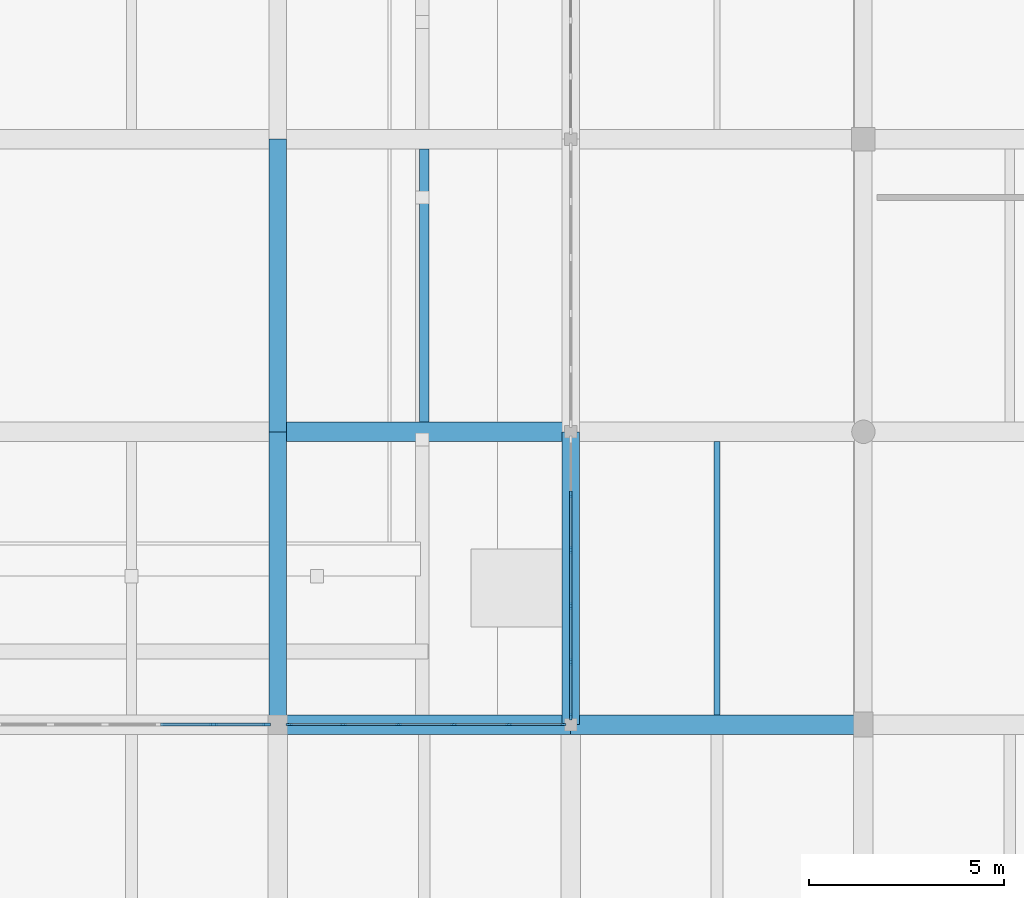
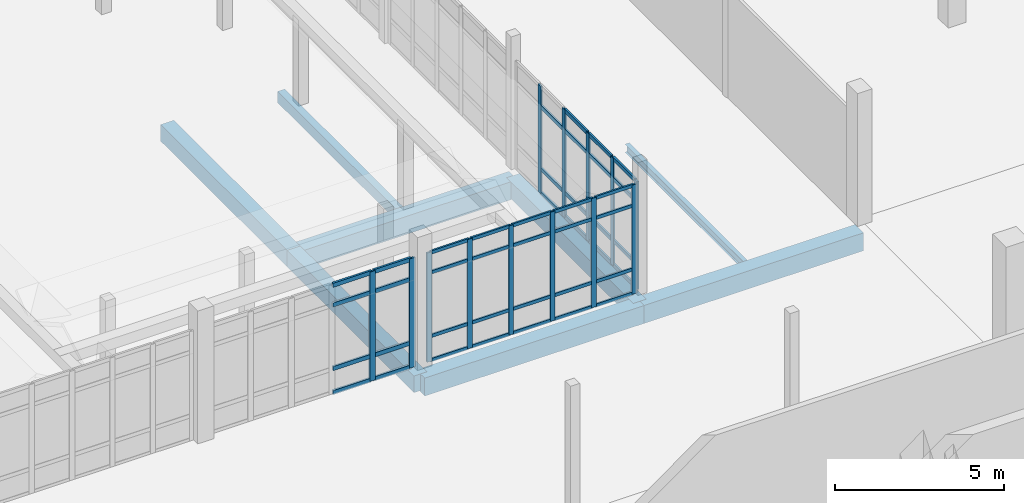
# One storey, part 57 of 125: 56 members, 8 beams, 3 elements without a shape of their own.
"""IFC4 building model written with IfcOpenShell, lengths in metres."""

from ifc_helpers import new_model, si_unit, direction, frame, origin, origin_2d, place, context, subcontext, project, spatial, rectangle, i_section, extrude, material, layer, layer_set, material_profile, profile_set, type_object, element, aggregate, save


model = new_model("IFC4")

# Units and contexts
model_context = context("Model", 3, precision=1e-05, world=origin(), true_north=direction((0.0, 1.0)))
body_context = subcontext(model_context, "Body", "Model", "MODEL_VIEW")
ifc_project = project(units=[si_unit("LENGTHUNIT", "METRE"), si_unit("AREAUNIT", "SQUARE_METRE"), si_unit("VOLUMEUNIT", "CUBIC_METRE"), si_unit("PLANEANGLEUNIT", "RADIAN"), si_unit("MASSUNIT", "GRAM", prefix="KILO")], contexts=[model_context])

# Site, building, storey
site_placement = place(None, origin())
site = spatial("IfcSite", under=ifc_project, at=site_placement, CompositionType="ELEMENT")
building_placement = place(site_placement, origin())
building = spatial("IfcBuilding", under=site, at=building_placement, Name="Dalvernix Boulevard General Hospital", CompositionType="ELEMENT")
storey_placement = place(building_placement, origin())
storey = spatial("IfcBuildingStorey", under=building, at=storey_placement, Name="L00", CompositionType="ELEMENT", Elevation=0.0)

# Beams
ifc_material_1 = material(Name="Concrete C35/45", Category="concrete")
ifc_material_profile_1 = material_profile(ifc_material_1, rectangle(XDim=0.5, YDim=0.64990234375, at=origin_2d()), Name="RCB 500x650")
ifc_profile_set_1 = profile_set([ifc_material_profile_1], Name="Concrete C35/45")
beam_type_1 = type_object("IfcBeamType", Name="BM-B-02-I", PredefinedType="BEAM", material=ifc_profile_set_1)
for number, where, z_axis, x_axis, name in (
    (1, (127.5, 31.5, -0.68505859375), (1.0, 0.0, 0.0), (0.0, 1.0, 0.0), "L00 E-W girder E:18-19"),
    (2, (135.0, 31.5, -0.68505859375), (1.0, 0.0, 0.0), (0.0, 1.0, 0.0), "L00 E-W girder E:19-20"),
    (3, (127.5, 39.0, -0.68505859375), (1.0, 0.0, 0.0), (0.0, 1.0, 0.0), "L00 E-W girder F:18-19"),
):
    element("IfcBeam", number, at=place(storey_placement, frame(where, z_axis=z_axis, x_axis=x_axis)), inside=storey, type_object=beam_type_1, Name=name, PredefinedType="BEAM", context=body_context, shape_type="SweptSolid", body=[
        extrude(rectangle(XDim=0.5, YDim=0.64990234375, at=origin_2d()), origin(), (0.0, 0.0, 1.0), 7.5),
    ])
ifc_material_profile_2 = material_profile(ifc_material_1, rectangle(XDim=0.449951171875, YDim=0.60009765625, at=origin_2d()), Name="RCB 450x600")
ifc_profile_set_2 = profile_set([ifc_material_profile_2], Name="Concrete C35/45")
beam_type_2 = type_object("IfcBeamType", Name="BM-B-04-I", PredefinedType="BEAM", material=ifc_profile_set_2)
for number, where, z_axis, x_axis, name in (
    (4, (127.5, 31.5, -0.659912109375), (0.0, 1.0, 0.0), (-1.0, 0.0, 0.0), "L00 N-S girder 18:E-F"),
    (5, (127.5, 39.0, -0.659912109375), (0.0, 1.0, 0.0), (-1.0, 0.0, 0.0), "L00 N-S girder 18:F-G"),
    (6, (135.0, 31.5, -0.659912109375), (0.0, 1.0, 0.0), (-1.0, 0.0, 0.0), "L00 N-S girder 19:E-F"),
):
    element("IfcBeam", number, at=place(storey_placement, frame(where, z_axis=z_axis, x_axis=x_axis)), inside=storey, type_object=beam_type_2, Name=name, PredefinedType="BEAM", context=body_context, shape_type="SweptSolid", body=[
        extrude(rectangle(XDim=0.449951171875, YDim=0.60009765625, at=origin_2d()), origin(), (0.0, 0.0, 1.0), 7.5),
    ])
ifc_material_profile_3 = material_profile(ifc_material_1, rectangle(XDim=0.25, YDim=0.39990234375, at=origin_2d()), Name="RCB 250x400")
ifc_profile_set_3 = profile_set([ifc_material_profile_3], Name="Concrete C35/45")
beam_type_3 = type_object("IfcBeamType", Name="BM-JB-02", PredefinedType="JOIST", material=ifc_profile_set_3)
beam_1_placement = place(storey_placement, frame((131.25, 39.25, -0.56005859375), z_axis=(0.0, 1.0, 0.0), x_axis=(-1.0, 0.0, 0.0)))
element("IfcBeam", 7, at=beam_1_placement, inside=storey, type_object=beam_type_3, Name="L00 secondary floor beam 18-F", PredefinedType="JOIST", context=body_context, shape_type="SweptSolid", body=[
    extrude(rectangle(XDim=0.25, YDim=0.39990234375, at=origin_2d()), origin(), (0.0, 0.0, 1.0), 7.0),
])
ifc_material_2 = material(Name="Steel S355", Category="steel")
ifc_material_profile_4 = material_profile(ifc_material_2, i_section(OverallWidth=0.14990234375, OverallDepth=0.300048828125, WebThickness=0.007080078125, FlangeThickness=0.0107421875, FilletRadius=0.014892578125, at=origin_2d()), Name="IPE 300")
ifc_profile_set_4 = profile_set([ifc_material_profile_4], Name="Steel S355")
beam_type_4 = type_object("IfcBeamType", Name="BM-JB-03", PredefinedType="JOIST", material=ifc_profile_set_4)
beam_2_placement = place(storey_placement, frame((138.75, 31.75, -0.510009765625), z_axis=(0.0, 1.0, 0.0), x_axis=(-1.0, 0.0, 0.0)))
element("IfcBeam", 8, at=beam_2_placement, inside=storey, type_object=beam_type_4, Name="L00 secondary floor beam 19-E", PredefinedType="JOIST", context=body_context, shape_type="SweptSolid", body=[
    extrude(i_section(OverallWidth=0.14990234375, OverallDepth=0.300048828125, WebThickness=0.007080078125, FlangeThickness=0.0107421875, FilletRadius=0.014892578125, at=origin_2d()), origin(), (0.0, 0.0, 1.0), 7.0),
])

# Curtain wall, members
ifc_material_3 = material(Name="Thermally broken aluminium and solar-control glass curtain wall", Category="aluminium")
ifc_layer_1 = layer(ifc_material_3, 0.159912109375)
ifc_layer_set_1 = layer_set([ifc_layer_1], Name="Thermally broken aluminium and solar-control glass curtain wall (CW-CW-A-71x40)")
curtain_wall_type_1 = type_object("IfcCurtainWallType", Name="CW-CW-A-71x40", PredefinedType="USERDEFINED", material=ifc_layer_set_1)
curtain_wall_1_placement = place(storey_placement, origin())
curtain_wall_1 = element("IfcCurtainWall", 9, at=curtain_wall_1_placement, inside=storey, type_object=curtain_wall_type_1, Name="L00 curtain wall CW-A-71x40 17-4", ObjectType="GLAZED FACADE", PredefinedType="USERDEFINED")
ifc_material_4 = material(Name="Aluminium EN AW-6060", Category="aluminium")
ifc_material_profile_5 = material_profile(ifc_material_4, rectangle(XDim=0.06005859375, YDim=0.159912109375, at=origin_2d()), Name="ALU MULL 60x160")
ifc_profile_set_5 = profile_set([ifc_material_profile_5], Name="Aluminium EN AW-6060")
member_type_1 = type_object("IfcMemberType", Name="MEM-CW-M1", PredefinedType="MULLION", material=ifc_profile_set_5)
member_1_placement = place(storey_placement, frame((127.7900390625, 31.5, 0.0), z_axis=(0.0, 0.0, 1.0), x_axis=(0.0, 1.0, 0.0)))
member_1 = element("IfcMember", 10, at=member_1_placement, type_object=member_type_1, Name="CW-A-71x40 mullion 1", PredefinedType="MULLION", context=body_context, shape_type="SweptSolid", body=[
    extrude(rectangle(XDim=0.06005859375, YDim=0.159912109375, at=origin_2d()), origin(), (0.0, 0.0, 1.0), 3.949951171875),
])
member_2_placement = place(storey_placement, frame((129.174072265625, 31.5, 0.0), z_axis=(0.0, 0.0, 1.0), x_axis=(0.0, 1.0, 0.0)))
member_2 = element("IfcMember", 11, at=member_2_placement, type_object=member_type_1, Name="CW-A-71x40 mullion 2", PredefinedType="MULLION", context=body_context, shape_type="SweptSolid", body=[
    extrude(rectangle(XDim=0.06005859375, YDim=0.159912109375, at=origin_2d()), origin(), (0.0, 0.0, 1.0), 3.949951171875),
])
member_3_placement = place(storey_placement, frame((130.587890625, 31.5, 0.0), z_axis=(0.0, 0.0, 1.0), x_axis=(0.0, 1.0, 0.0)))
member_3 = element("IfcMember", 12, at=member_3_placement, type_object=member_type_1, Name="CW-A-71x40 mullion 3", PredefinedType="MULLION", context=body_context, shape_type="SweptSolid", body=[
    extrude(rectangle(XDim=0.06005859375, YDim=0.159912109375, at=origin_2d()), origin(), (0.0, 0.0, 1.0), 3.949951171875),
])
member_4_placement = place(storey_placement, frame((132.001953125, 31.5, 0.0), z_axis=(0.0, 0.0, 1.0), x_axis=(0.0, 1.0, 0.0)))
member_4 = element("IfcMember", 13, at=member_4_placement, type_object=member_type_1, Name="CW-A-71x40 mullion 4", PredefinedType="MULLION", context=body_context, shape_type="SweptSolid", body=[
    extrude(rectangle(XDim=0.06005859375, YDim=0.159912109375, at=origin_2d()), origin(), (0.0, 0.0, 1.0), 3.949951171875),
])
member_5_placement = place(storey_placement, frame((133.416015625, 31.5, 0.0), z_axis=(0.0, 0.0, 1.0), x_axis=(0.0, 1.0, 0.0)))
member_5 = element("IfcMember", 14, at=member_5_placement, type_object=member_type_1, Name="CW-A-71x40 mullion 5", PredefinedType="MULLION", context=body_context, shape_type="SweptSolid", body=[
    extrude(rectangle(XDim=0.06005859375, YDim=0.159912109375, at=origin_2d()), origin(), (0.0, 0.0, 1.0), 3.949951171875),
])
member_6_placement = place(storey_placement, frame((134.800048828125, 31.5, 0.0), z_axis=(0.0, 0.0, 1.0), x_axis=(0.0, 1.0, 0.0)))
member_6 = element("IfcMember", 15, at=member_6_placement, type_object=member_type_1, Name="CW-A-71x40 mullion 6", PredefinedType="MULLION", context=body_context, shape_type="SweptSolid", body=[
    extrude(rectangle(XDim=0.06005859375, YDim=0.159912109375, at=origin_2d()), origin(), (0.0, 0.0, 1.0), 3.949951171875),
])

ifc_layer_2 = layer(ifc_material_3, 0.179931640625)
ifc_layer_set_2 = layer_set([ifc_layer_2], Name="Thermally broken aluminium and solar-control glass curtain wall (CW-CW-B-72x39)")
curtain_wall_type_2 = type_object("IfcCurtainWallType", Name="CW-CW-B-72x39", PredefinedType="USERDEFINED", material=ifc_layer_set_2)
curtain_wall_2_placement = place(storey_placement, origin())
curtain_wall_2 = element("IfcCurtainWall", 16, at=curtain_wall_2_placement, inside=storey, type_object=curtain_wall_type_2, Name="L00 curtain wall CW-B-72x39 18-4", ObjectType="GLAZED FACADE", PredefinedType="USERDEFINED")
ifc_material_profile_6 = material_profile(ifc_material_4, rectangle(XDim=0.06494140625, YDim=0.179931640625, at=origin_2d()), Name="ALU MULL 65x180")
ifc_profile_set_6 = profile_set([ifc_material_profile_6], Name="Aluminium EN AW-6060")
member_type_2 = type_object("IfcMemberType", Name="MEM-CW-M2", PredefinedType="MULLION", material=ifc_profile_set_6)
member_7_placement = place(storey_placement, frame((135.0, 31.702392578125, 0.0), z_axis=(0.0, 0.0, 1.0), x_axis=(-1.0, 0.0, 0.0)))
member_7 = element("IfcMember", 17, at=member_7_placement, type_object=member_type_2, Name="CW-B-72x39 mullion 1", PredefinedType="MULLION", context=body_context, shape_type="SweptSolid", body=[
    extrude(rectangle(XDim=0.06494140625, YDim=0.179931640625, at=origin_2d()), origin(), (0.0, 0.0, 1.0), 3.89990234375),
])
member_8_placement = place(storey_placement, frame((135.0, 33.10205078125, 0.0), z_axis=(0.0, 0.0, 1.0), x_axis=(-1.0, 0.0, 0.0)))
member_8 = element("IfcMember", 18, at=member_8_placement, type_object=member_type_2, Name="CW-B-72x39 mullion 2", PredefinedType="MULLION", context=body_context, shape_type="SweptSolid", body=[
    extrude(rectangle(XDim=0.06494140625, YDim=0.179931640625, at=origin_2d()), origin(), (0.0, 0.0, 1.0), 3.89990234375),
])
member_9_placement = place(storey_placement, frame((135.0, 34.533935546875, 0.0), z_axis=(0.0, 0.0, 1.0), x_axis=(-1.0, 0.0, 0.0)))
member_9 = element("IfcMember", 19, at=member_9_placement, type_object=member_type_2, Name="CW-B-72x39 mullion 3", PredefinedType="MULLION", context=body_context, shape_type="SweptSolid", body=[
    extrude(rectangle(XDim=0.06494140625, YDim=0.179931640625, at=origin_2d()), origin(), (0.0, 0.0, 1.0), 3.89990234375),
])
member_10_placement = place(storey_placement, frame((135.0, 35.966064453125, 0.0), z_axis=(0.0, 0.0, 1.0), x_axis=(-1.0, 0.0, 0.0)))
member_10 = element("IfcMember", 20, at=member_10_placement, type_object=member_type_2, Name="CW-B-72x39 mullion 4", PredefinedType="MULLION", context=body_context, shape_type="SweptSolid", body=[
    extrude(rectangle(XDim=0.06494140625, YDim=0.179931640625, at=origin_2d()), origin(), (0.0, 0.0, 1.0), 3.89990234375),
])
member_11_placement = place(storey_placement, frame((135.0, 37.39794921875, 0.0), z_axis=(0.0, 0.0, 1.0), x_axis=(-1.0, 0.0, 0.0)))
member_11 = element("IfcMember", 21, at=member_11_placement, type_object=member_type_2, Name="CW-B-72x39 mullion 5", PredefinedType="MULLION", context=body_context, shape_type="SweptSolid", body=[
    extrude(rectangle(XDim=0.06494140625, YDim=0.179931640625, at=origin_2d()), origin(), (0.0, 0.0, 1.0), 3.89990234375),
])

ifc_layer_3 = layer(ifc_material_3, 0.199951171875)
ifc_layer_set_3 = layer_set([ifc_layer_3], Name="Thermally broken aluminium and solar-control glass curtain wall (CW-CW-C-70x40)")
curtain_wall_type_3 = type_object("IfcCurtainWallType", Name="CW-CW-C-70x40", PredefinedType="USERDEFINED", material=ifc_layer_set_3)
curtain_wall_3_placement = place(storey_placement, origin())
curtain_wall_3 = element("IfcCurtainWall", 22, at=curtain_wall_3_placement, inside=storey, type_object=curtain_wall_type_3, Name="L00 curtain wall CW-C-70x40 16-4", ObjectType="GLAZED FACADE", PredefinedType="USERDEFINED")
ifc_material_profile_7 = material_profile(ifc_material_4, rectangle(XDim=0.070068359375, YDim=0.199951171875, at=origin_2d()), Name="ALU MULL 70x200")
ifc_profile_set_7 = profile_set([ifc_material_profile_7], Name="Aluminium EN AW-6060")
member_type_3 = type_object("IfcMemberType", Name="MEM-CW-M3", PredefinedType="MULLION", material=ifc_profile_set_7)
member_12_placement = place(storey_placement, frame((125.84912109375, 31.5, 0.0), z_axis=(0.0, 0.0, 1.0), x_axis=(0.0, 1.0, 0.0)))
member_12 = element("IfcMember", 23, at=member_12_placement, type_object=member_type_3, Name="CW-C-70x40 mullion 5", PredefinedType="MULLION", context=body_context, shape_type="SweptSolid", body=[
    extrude(rectangle(XDim=0.070068359375, YDim=0.199951171875, at=origin_2d()), origin(), (0.0, 0.0, 1.0), 3.949951171875),
])
member_13_placement = place(storey_placement, frame((127.205078125, 31.5, 0.0), z_axis=(0.0, 0.0, 1.0), x_axis=(0.0, 1.0, 0.0)))
member_13 = element("IfcMember", 24, at=member_13_placement, type_object=member_type_3, Name="CW-C-70x40 mullion 6", PredefinedType="MULLION", context=body_context, shape_type="SweptSolid", body=[
    extrude(rectangle(XDim=0.070068359375, YDim=0.199951171875, at=origin_2d()), origin(), (0.0, 0.0, 1.0), 3.949951171875),
])

# Member
ifc_material_profile_8 = material_profile(ifc_material_4, rectangle(XDim=0.06005859375, YDim=0.1201171875, at=origin_2d()), Name="ALU TRAN 60x120")
ifc_profile_set_8 = profile_set([ifc_material_profile_8], Name="Aluminium EN AW-6060")
member_type_4 = type_object("IfcMemberType", Name="MEM-CW-T1", PredefinedType="USERDEFINED", material=ifc_profile_set_8)
member_14_placement = place(storey_placement, frame((127.820068359375, 31.5, 0.030029296875), z_axis=(1.0, 0.0, 0.0), x_axis=(0.0, 1.0, 0.0)))
member_14 = element("IfcMember", 25, at=member_14_placement, type_object=member_type_4, Name="CW-A-71x40 transom 1.1", ObjectType="TRANSOM", PredefinedType="USERDEFINED", context=body_context, shape_type="SweptSolid", body=[
    extrude(rectangle(XDim=0.06005859375, YDim=0.1201171875, at=origin_2d()), origin(), (0.0, 0.0, 1.0), 1.323974609375),
])

member_15_placement = place(storey_placement, frame((127.820068359375, 31.5, 0.89990234375), z_axis=(1.0, 0.0, 0.0), x_axis=(0.0, 1.0, 0.0)))
member_15 = element("IfcMember", 26, at=member_15_placement, type_object=member_type_4, Name="CW-A-71x40 transom 1.2", ObjectType="TRANSOM", PredefinedType="USERDEFINED", context=body_context, shape_type="SweptSolid", body=[
    extrude(rectangle(XDim=0.06005859375, YDim=0.1201171875, at=origin_2d()), origin(), (0.0, 0.0, 1.0), 1.323974609375),
])

member_16_placement = place(storey_placement, frame((127.820068359375, 31.5, 3.199951171875), z_axis=(1.0, 0.0, 0.0), x_axis=(0.0, 1.0, 0.0)))
member_16 = element("IfcMember", 27, at=member_16_placement, type_object=member_type_4, Name="CW-A-71x40 transom 1.3", ObjectType="TRANSOM", PredefinedType="USERDEFINED", context=body_context, shape_type="SweptSolid", body=[
    extrude(rectangle(XDim=0.06005859375, YDim=0.1201171875, at=origin_2d()), origin(), (0.0, 0.0, 1.0), 1.323974609375),
])

member_17_placement = place(storey_placement, frame((127.820068359375, 31.5, 3.919921875), z_axis=(1.0, 0.0, 0.0), x_axis=(0.0, 1.0, 0.0)))
member_17 = element("IfcMember", 28, at=member_17_placement, type_object=member_type_4, Name="CW-A-71x40 transom 1.4", ObjectType="TRANSOM", PredefinedType="USERDEFINED", context=body_context, shape_type="SweptSolid", body=[
    extrude(rectangle(XDim=0.06005859375, YDim=0.1201171875, at=origin_2d()), origin(), (0.0, 0.0, 1.0), 1.323974609375),
])

member_18_placement = place(storey_placement, frame((129.2041015625, 31.5, 0.030029296875), z_axis=(1.0, 0.0, 0.0), x_axis=(0.0, 1.0, 0.0)))
member_18 = element("IfcMember", 29, at=member_18_placement, type_object=member_type_4, Name="CW-A-71x40 transom 2.1", ObjectType="TRANSOM", PredefinedType="USERDEFINED", context=body_context, shape_type="SweptSolid", body=[
    extrude(rectangle(XDim=0.06005859375, YDim=0.1201171875, at=origin_2d()), origin(), (0.0, 0.0, 1.0), 1.35400390625),
])

member_19_placement = place(storey_placement, frame((129.2041015625, 31.5, 0.89990234375), z_axis=(1.0, 0.0, 0.0), x_axis=(0.0, 1.0, 0.0)))
member_19 = element("IfcMember", 30, at=member_19_placement, type_object=member_type_4, Name="CW-A-71x40 transom 2.2", ObjectType="TRANSOM", PredefinedType="USERDEFINED", context=body_context, shape_type="SweptSolid", body=[
    extrude(rectangle(XDim=0.06005859375, YDim=0.1201171875, at=origin_2d()), origin(), (0.0, 0.0, 1.0), 1.35400390625),
])

member_20_placement = place(storey_placement, frame((129.2041015625, 31.5, 3.199951171875), z_axis=(1.0, 0.0, 0.0), x_axis=(0.0, 1.0, 0.0)))
member_20 = element("IfcMember", 31, at=member_20_placement, type_object=member_type_4, Name="CW-A-71x40 transom 2.3", ObjectType="TRANSOM", PredefinedType="USERDEFINED", context=body_context, shape_type="SweptSolid", body=[
    extrude(rectangle(XDim=0.06005859375, YDim=0.1201171875, at=origin_2d()), origin(), (0.0, 0.0, 1.0), 1.35400390625),
])

member_21_placement = place(storey_placement, frame((129.2041015625, 31.5, 3.919921875), z_axis=(1.0, 0.0, 0.0), x_axis=(0.0, 1.0, 0.0)))
member_21 = element("IfcMember", 32, at=member_21_placement, type_object=member_type_4, Name="CW-A-71x40 transom 2.4", ObjectType="TRANSOM", PredefinedType="USERDEFINED", context=body_context, shape_type="SweptSolid", body=[
    extrude(rectangle(XDim=0.06005859375, YDim=0.1201171875, at=origin_2d()), origin(), (0.0, 0.0, 1.0), 1.35400390625),
])

member_22_placement = place(storey_placement, frame((130.617919921875, 31.5, 0.030029296875), z_axis=(1.0, 0.0, 0.0), x_axis=(0.0, 1.0, 0.0)))
member_22 = element("IfcMember", 33, at=member_22_placement, type_object=member_type_4, Name="CW-A-71x40 transom 3.1", ObjectType="TRANSOM", PredefinedType="USERDEFINED", context=body_context, shape_type="SweptSolid", body=[
    extrude(rectangle(XDim=0.06005859375, YDim=0.1201171875, at=origin_2d()), origin(), (0.0, 0.0, 1.0), 1.35400390625),
])

member_23_placement = place(storey_placement, frame((130.617919921875, 31.5, 0.89990234375), z_axis=(1.0, 0.0, 0.0), x_axis=(0.0, 1.0, 0.0)))
member_23 = element("IfcMember", 34, at=member_23_placement, type_object=member_type_4, Name="CW-A-71x40 transom 3.2", ObjectType="TRANSOM", PredefinedType="USERDEFINED", context=body_context, shape_type="SweptSolid", body=[
    extrude(rectangle(XDim=0.06005859375, YDim=0.1201171875, at=origin_2d()), origin(), (0.0, 0.0, 1.0), 1.35400390625),
])

member_24_placement = place(storey_placement, frame((130.617919921875, 31.5, 3.199951171875), z_axis=(1.0, 0.0, 0.0), x_axis=(0.0, 1.0, 0.0)))
member_24 = element("IfcMember", 35, at=member_24_placement, type_object=member_type_4, Name="CW-A-71x40 transom 3.3", ObjectType="TRANSOM", PredefinedType="USERDEFINED", context=body_context, shape_type="SweptSolid", body=[
    extrude(rectangle(XDim=0.06005859375, YDim=0.1201171875, at=origin_2d()), origin(), (0.0, 0.0, 1.0), 1.35400390625),
])

member_25_placement = place(storey_placement, frame((130.617919921875, 31.5, 3.919921875), z_axis=(1.0, 0.0, 0.0), x_axis=(0.0, 1.0, 0.0)))
member_25 = element("IfcMember", 36, at=member_25_placement, type_object=member_type_4, Name="CW-A-71x40 transom 3.4", ObjectType="TRANSOM", PredefinedType="USERDEFINED", context=body_context, shape_type="SweptSolid", body=[
    extrude(rectangle(XDim=0.06005859375, YDim=0.1201171875, at=origin_2d()), origin(), (0.0, 0.0, 1.0), 1.35400390625),
])

member_26_placement = place(storey_placement, frame((132.031982421875, 31.5, 0.030029296875), z_axis=(1.0, 0.0, 0.0), x_axis=(0.0, 1.0, 0.0)))
member_26 = element("IfcMember", 37, at=member_26_placement, type_object=member_type_4, Name="CW-A-71x40 transom 4.1", ObjectType="TRANSOM", PredefinedType="USERDEFINED", context=body_context, shape_type="SweptSolid", body=[
    extrude(rectangle(XDim=0.06005859375, YDim=0.1201171875, at=origin_2d()), origin(), (0.0, 0.0, 1.0), 1.35400390625),
])

member_27_placement = place(storey_placement, frame((132.031982421875, 31.5, 0.89990234375), z_axis=(1.0, 0.0, 0.0), x_axis=(0.0, 1.0, 0.0)))
member_27 = element("IfcMember", 38, at=member_27_placement, type_object=member_type_4, Name="CW-A-71x40 transom 4.2", ObjectType="TRANSOM", PredefinedType="USERDEFINED", context=body_context, shape_type="SweptSolid", body=[
    extrude(rectangle(XDim=0.06005859375, YDim=0.1201171875, at=origin_2d()), origin(), (0.0, 0.0, 1.0), 1.35400390625),
])

member_28_placement = place(storey_placement, frame((132.031982421875, 31.5, 3.199951171875), z_axis=(1.0, 0.0, 0.0), x_axis=(0.0, 1.0, 0.0)))
member_28 = element("IfcMember", 39, at=member_28_placement, type_object=member_type_4, Name="CW-A-71x40 transom 4.3", ObjectType="TRANSOM", PredefinedType="USERDEFINED", context=body_context, shape_type="SweptSolid", body=[
    extrude(rectangle(XDim=0.06005859375, YDim=0.1201171875, at=origin_2d()), origin(), (0.0, 0.0, 1.0), 1.35400390625),
])

member_29_placement = place(storey_placement, frame((132.031982421875, 31.5, 3.919921875), z_axis=(1.0, 0.0, 0.0), x_axis=(0.0, 1.0, 0.0)))
member_29 = element("IfcMember", 40, at=member_29_placement, type_object=member_type_4, Name="CW-A-71x40 transom 4.4", ObjectType="TRANSOM", PredefinedType="USERDEFINED", context=body_context, shape_type="SweptSolid", body=[
    extrude(rectangle(XDim=0.06005859375, YDim=0.1201171875, at=origin_2d()), origin(), (0.0, 0.0, 1.0), 1.35400390625),
])

member_30_placement = place(storey_placement, frame((133.446044921875, 31.5, 0.030029296875), z_axis=(1.0, 0.0, 0.0), x_axis=(0.0, 1.0, 0.0)))
member_30 = element("IfcMember", 41, at=member_30_placement, type_object=member_type_4, Name="CW-A-71x40 transom 5.1", ObjectType="TRANSOM", PredefinedType="USERDEFINED", context=body_context, shape_type="SweptSolid", body=[
    extrude(rectangle(XDim=0.06005859375, YDim=0.1201171875, at=origin_2d()), origin(), (0.0, 0.0, 1.0), 1.323974609375),
])

member_31_placement = place(storey_placement, frame((133.446044921875, 31.5, 0.89990234375), z_axis=(1.0, 0.0, 0.0), x_axis=(0.0, 1.0, 0.0)))
member_31 = element("IfcMember", 42, at=member_31_placement, type_object=member_type_4, Name="CW-A-71x40 transom 5.2", ObjectType="TRANSOM", PredefinedType="USERDEFINED", context=body_context, shape_type="SweptSolid", body=[
    extrude(rectangle(XDim=0.06005859375, YDim=0.1201171875, at=origin_2d()), origin(), (0.0, 0.0, 1.0), 1.323974609375),
])

member_32_placement = place(storey_placement, frame((133.446044921875, 31.5, 3.199951171875), z_axis=(1.0, 0.0, 0.0), x_axis=(0.0, 1.0, 0.0)))
member_32 = element("IfcMember", 43, at=member_32_placement, type_object=member_type_4, Name="CW-A-71x40 transom 5.3", ObjectType="TRANSOM", PredefinedType="USERDEFINED", context=body_context, shape_type="SweptSolid", body=[
    extrude(rectangle(XDim=0.06005859375, YDim=0.1201171875, at=origin_2d()), origin(), (0.0, 0.0, 1.0), 1.323974609375),
])

member_33_placement = place(storey_placement, frame((133.446044921875, 31.5, 3.919921875), z_axis=(1.0, 0.0, 0.0), x_axis=(0.0, 1.0, 0.0)))
member_33 = element("IfcMember", 44, at=member_33_placement, type_object=member_type_4, Name="CW-A-71x40 transom 5.4", ObjectType="TRANSOM", PredefinedType="USERDEFINED", context=body_context, shape_type="SweptSolid", body=[
    extrude(rectangle(XDim=0.06005859375, YDim=0.1201171875, at=origin_2d()), origin(), (0.0, 0.0, 1.0), 1.323974609375),
])

aggregate(curtain_wall_1, [member_1, member_2, member_3, member_4, member_5, member_6, member_14, member_15, member_16, member_17, member_18, member_19, member_20, member_21, member_22, member_23, member_24, member_25, member_26, member_27, member_28, member_29, member_30, member_31, member_32, member_33])

ifc_material_profile_9 = material_profile(ifc_material_4, rectangle(XDim=0.06494140625, YDim=0.139892578125, at=origin_2d()), Name="ALU TRAN 65x140")
ifc_profile_set_9 = profile_set([ifc_material_profile_9], Name="Aluminium EN AW-6060")
member_type_5 = type_object("IfcMemberType", Name="MEM-CW-T2", PredefinedType="USERDEFINED", material=ifc_profile_set_9)
member_34_placement = place(storey_placement, frame((135.0, 31.735107421875, 0.032470703125), z_axis=(0.0, 1.0, 0.0), x_axis=(-1.0, 0.0, 0.0)))
member_34 = element("IfcMember", 45, at=member_34_placement, type_object=member_type_5, Name="CW-B-72x39 transom 1.1", ObjectType="TRANSOM", PredefinedType="USERDEFINED", context=body_context, shape_type="SweptSolid", body=[
    extrude(rectangle(XDim=0.06494140625, YDim=0.139892578125, at=origin_2d()), origin(), (0.0, 0.0, 1.0), 1.33447265625),
])

member_35_placement = place(storey_placement, frame((135.0, 31.735107421875, 0.89990234375), z_axis=(0.0, 1.0, 0.0), x_axis=(-1.0, 0.0, 0.0)))
member_35 = element("IfcMember", 46, at=member_35_placement, type_object=member_type_5, Name="CW-B-72x39 transom 1.2", ObjectType="TRANSOM", PredefinedType="USERDEFINED", context=body_context, shape_type="SweptSolid", body=[
    extrude(rectangle(XDim=0.06494140625, YDim=0.139892578125, at=origin_2d()), origin(), (0.0, 0.0, 1.0), 1.33447265625),
])

member_36_placement = place(storey_placement, frame((135.0, 31.735107421875, 3.14990234375), z_axis=(0.0, 1.0, 0.0), x_axis=(-1.0, 0.0, 0.0)))
member_36 = element("IfcMember", 47, at=member_36_placement, type_object=member_type_5, Name="CW-B-72x39 transom 1.3", ObjectType="TRANSOM", PredefinedType="USERDEFINED", context=body_context, shape_type="SweptSolid", body=[
    extrude(rectangle(XDim=0.06494140625, YDim=0.139892578125, at=origin_2d()), origin(), (0.0, 0.0, 1.0), 1.33447265625),
])

member_37_placement = place(storey_placement, frame((135.0, 31.735107421875, 3.867431640625), z_axis=(0.0, 1.0, 0.0), x_axis=(-1.0, 0.0, 0.0)))
member_37 = element("IfcMember", 48, at=member_37_placement, type_object=member_type_5, Name="CW-B-72x39 transom 1.4", ObjectType="TRANSOM", PredefinedType="USERDEFINED", context=body_context, shape_type="SweptSolid", body=[
    extrude(rectangle(XDim=0.06494140625, YDim=0.139892578125, at=origin_2d()), origin(), (0.0, 0.0, 1.0), 1.33447265625),
])

member_38_placement = place(storey_placement, frame((135.0, 33.134521484375, 0.032470703125), z_axis=(0.0, 1.0, 0.0), x_axis=(-1.0, 0.0, 0.0)))
member_38 = element("IfcMember", 49, at=member_38_placement, type_object=member_type_5, Name="CW-B-72x39 transom 2.1", ObjectType="TRANSOM", PredefinedType="USERDEFINED", context=body_context, shape_type="SweptSolid", body=[
    extrude(rectangle(XDim=0.06494140625, YDim=0.139892578125, at=origin_2d()), origin(), (0.0, 0.0, 1.0), 1.366943359375),
])

member_39_placement = place(storey_placement, frame((135.0, 33.134521484375, 0.89990234375), z_axis=(0.0, 1.0, 0.0), x_axis=(-1.0, 0.0, 0.0)))
member_39 = element("IfcMember", 50, at=member_39_placement, type_object=member_type_5, Name="CW-B-72x39 transom 2.2", ObjectType="TRANSOM", PredefinedType="USERDEFINED", context=body_context, shape_type="SweptSolid", body=[
    extrude(rectangle(XDim=0.06494140625, YDim=0.139892578125, at=origin_2d()), origin(), (0.0, 0.0, 1.0), 1.366943359375),
])

member_40_placement = place(storey_placement, frame((135.0, 33.134521484375, 3.14990234375), z_axis=(0.0, 1.0, 0.0), x_axis=(-1.0, 0.0, 0.0)))
member_40 = element("IfcMember", 51, at=member_40_placement, type_object=member_type_5, Name="CW-B-72x39 transom 2.3", ObjectType="TRANSOM", PredefinedType="USERDEFINED", context=body_context, shape_type="SweptSolid", body=[
    extrude(rectangle(XDim=0.06494140625, YDim=0.139892578125, at=origin_2d()), origin(), (0.0, 0.0, 1.0), 1.366943359375),
])

member_41_placement = place(storey_placement, frame((135.0, 33.134521484375, 3.867431640625), z_axis=(0.0, 1.0, 0.0), x_axis=(-1.0, 0.0, 0.0)))
member_41 = element("IfcMember", 52, at=member_41_placement, type_object=member_type_5, Name="CW-B-72x39 transom 2.4", ObjectType="TRANSOM", PredefinedType="USERDEFINED", context=body_context, shape_type="SweptSolid", body=[
    extrude(rectangle(XDim=0.06494140625, YDim=0.139892578125, at=origin_2d()), origin(), (0.0, 0.0, 1.0), 1.366943359375),
])

member_42_placement = place(storey_placement, frame((135.0, 34.56640625, 0.032470703125), z_axis=(0.0, 1.0, 0.0), x_axis=(-1.0, 0.0, 0.0)))
member_42 = element("IfcMember", 53, at=member_42_placement, type_object=member_type_5, Name="CW-B-72x39 transom 3.1", ObjectType="TRANSOM", PredefinedType="USERDEFINED", context=body_context, shape_type="SweptSolid", body=[
    extrude(rectangle(XDim=0.06494140625, YDim=0.139892578125, at=origin_2d()), origin(), (0.0, 0.0, 1.0), 1.3671875),
])

member_43_placement = place(storey_placement, frame((135.0, 34.56640625, 0.89990234375), z_axis=(0.0, 1.0, 0.0), x_axis=(-1.0, 0.0, 0.0)))
member_43 = element("IfcMember", 54, at=member_43_placement, type_object=member_type_5, Name="CW-B-72x39 transom 3.2", ObjectType="TRANSOM", PredefinedType="USERDEFINED", context=body_context, shape_type="SweptSolid", body=[
    extrude(rectangle(XDim=0.06494140625, YDim=0.139892578125, at=origin_2d()), origin(), (0.0, 0.0, 1.0), 1.3671875),
])

member_44_placement = place(storey_placement, frame((135.0, 34.56640625, 3.14990234375), z_axis=(0.0, 1.0, 0.0), x_axis=(-1.0, 0.0, 0.0)))
member_44 = element("IfcMember", 55, at=member_44_placement, type_object=member_type_5, Name="CW-B-72x39 transom 3.3", ObjectType="TRANSOM", PredefinedType="USERDEFINED", context=body_context, shape_type="SweptSolid", body=[
    extrude(rectangle(XDim=0.06494140625, YDim=0.139892578125, at=origin_2d()), origin(), (0.0, 0.0, 1.0), 1.3671875),
])

member_45_placement = place(storey_placement, frame((135.0, 34.56640625, 3.867431640625), z_axis=(0.0, 1.0, 0.0), x_axis=(-1.0, 0.0, 0.0)))
member_45 = element("IfcMember", 56, at=member_45_placement, type_object=member_type_5, Name="CW-B-72x39 transom 3.4", ObjectType="TRANSOM", PredefinedType="USERDEFINED", context=body_context, shape_type="SweptSolid", body=[
    extrude(rectangle(XDim=0.06494140625, YDim=0.139892578125, at=origin_2d()), origin(), (0.0, 0.0, 1.0), 1.3671875),
])

member_46_placement = place(storey_placement, frame((135.0, 35.99853515625, 0.032470703125), z_axis=(0.0, 1.0, 0.0), x_axis=(-1.0, 0.0, 0.0)))
member_46 = element("IfcMember", 57, at=member_46_placement, type_object=member_type_5, Name="CW-B-72x39 transom 4.1", ObjectType="TRANSOM", PredefinedType="USERDEFINED", context=body_context, shape_type="SweptSolid", body=[
    extrude(rectangle(XDim=0.06494140625, YDim=0.139892578125, at=origin_2d()), origin(), (0.0, 0.0, 1.0), 1.366943359375),
])

member_47_placement = place(storey_placement, frame((135.0, 35.99853515625, 0.89990234375), z_axis=(0.0, 1.0, 0.0), x_axis=(-1.0, 0.0, 0.0)))
member_47 = element("IfcMember", 58, at=member_47_placement, type_object=member_type_5, Name="CW-B-72x39 transom 4.2", ObjectType="TRANSOM", PredefinedType="USERDEFINED", context=body_context, shape_type="SweptSolid", body=[
    extrude(rectangle(XDim=0.06494140625, YDim=0.139892578125, at=origin_2d()), origin(), (0.0, 0.0, 1.0), 1.366943359375),
])

member_48_placement = place(storey_placement, frame((135.0, 35.99853515625, 3.14990234375), z_axis=(0.0, 1.0, 0.0), x_axis=(-1.0, 0.0, 0.0)))
member_48 = element("IfcMember", 59, at=member_48_placement, type_object=member_type_5, Name="CW-B-72x39 transom 4.3", ObjectType="TRANSOM", PredefinedType="USERDEFINED", context=body_context, shape_type="SweptSolid", body=[
    extrude(rectangle(XDim=0.06494140625, YDim=0.139892578125, at=origin_2d()), origin(), (0.0, 0.0, 1.0), 1.366943359375),
])

aggregate(curtain_wall_2, [member_7, member_8, member_9, member_10, member_11, member_34, member_35, member_36, member_37, member_38, member_39, member_40, member_41, member_42, member_43, member_44, member_45, member_46, member_47, member_48])

ifc_material_profile_10 = material_profile(ifc_material_4, rectangle(XDim=0.070068359375, YDim=0.14990234375, at=origin_2d()), Name="ALU TRAN 70x150")
ifc_profile_set_10 = profile_set([ifc_material_profile_10], Name="Aluminium EN AW-6060")
member_type_6 = type_object("IfcMemberType", Name="MEM-CW-T3", PredefinedType="USERDEFINED", material=ifc_profile_set_10)
member_49_placement = place(storey_placement, frame((124.492919921875, 31.5, 0.034912109375), z_axis=(1.0, 0.0, 0.0), x_axis=(0.0, 1.0, 0.0)))
member_49 = element("IfcMember", 60, at=member_49_placement, type_object=member_type_6, Name="CW-C-70x40 transom 4.1", ObjectType="TRANSOM", PredefinedType="USERDEFINED", context=body_context, shape_type="SweptSolid", body=[
    extrude(rectangle(XDim=0.070068359375, YDim=0.14990234375, at=origin_2d()), origin(), (0.0, 0.0, 1.0), 1.321044921875),
])

member_50_placement = place(storey_placement, frame((124.492919921875, 31.5, 0.89990234375), z_axis=(1.0, 0.0, 0.0), x_axis=(0.0, 1.0, 0.0)))
member_50 = element("IfcMember", 61, at=member_50_placement, type_object=member_type_6, Name="CW-C-70x40 transom 4.2", ObjectType="TRANSOM", PredefinedType="USERDEFINED", context=body_context, shape_type="SweptSolid", body=[
    extrude(rectangle(XDim=0.070068359375, YDim=0.14990234375, at=origin_2d()), origin(), (0.0, 0.0, 1.0), 1.321044921875),
])

member_51_placement = place(storey_placement, frame((124.492919921875, 31.5, 3.199951171875), z_axis=(1.0, 0.0, 0.0), x_axis=(0.0, 1.0, 0.0)))
member_51 = element("IfcMember", 62, at=member_51_placement, type_object=member_type_6, Name="CW-C-70x40 transom 4.3", ObjectType="TRANSOM", PredefinedType="USERDEFINED", context=body_context, shape_type="SweptSolid", body=[
    extrude(rectangle(XDim=0.070068359375, YDim=0.14990234375, at=origin_2d()), origin(), (0.0, 0.0, 1.0), 1.321044921875),
])

member_52_placement = place(storey_placement, frame((124.492919921875, 31.5, 3.9150390625), z_axis=(1.0, 0.0, 0.0), x_axis=(0.0, 1.0, 0.0)))
member_52 = element("IfcMember", 63, at=member_52_placement, type_object=member_type_6, Name="CW-C-70x40 transom 4.4", ObjectType="TRANSOM", PredefinedType="USERDEFINED", context=body_context, shape_type="SweptSolid", body=[
    extrude(rectangle(XDim=0.070068359375, YDim=0.14990234375, at=origin_2d()), origin(), (0.0, 0.0, 1.0), 1.321044921875),
])

member_53_placement = place(storey_placement, frame((125.884033203125, 31.5, 0.034912109375), z_axis=(1.0, 0.0, 0.0), x_axis=(0.0, 1.0, 0.0)))
member_53 = element("IfcMember", 64, at=member_53_placement, type_object=member_type_6, Name="CW-C-70x40 transom 5.1", ObjectType="TRANSOM", PredefinedType="USERDEFINED", context=body_context, shape_type="SweptSolid", body=[
    extrude(rectangle(XDim=0.070068359375, YDim=0.14990234375, at=origin_2d()), origin(), (0.0, 0.0, 1.0), 1.285888671875),
])

member_54_placement = place(storey_placement, frame((125.884033203125, 31.5, 0.89990234375), z_axis=(1.0, 0.0, 0.0), x_axis=(0.0, 1.0, 0.0)))
member_54 = element("IfcMember", 65, at=member_54_placement, type_object=member_type_6, Name="CW-C-70x40 transom 5.2", ObjectType="TRANSOM", PredefinedType="USERDEFINED", context=body_context, shape_type="SweptSolid", body=[
    extrude(rectangle(XDim=0.070068359375, YDim=0.14990234375, at=origin_2d()), origin(), (0.0, 0.0, 1.0), 1.285888671875),
])

member_55_placement = place(storey_placement, frame((125.884033203125, 31.5, 3.199951171875), z_axis=(1.0, 0.0, 0.0), x_axis=(0.0, 1.0, 0.0)))
member_55 = element("IfcMember", 66, at=member_55_placement, type_object=member_type_6, Name="CW-C-70x40 transom 5.3", ObjectType="TRANSOM", PredefinedType="USERDEFINED", context=body_context, shape_type="SweptSolid", body=[
    extrude(rectangle(XDim=0.070068359375, YDim=0.14990234375, at=origin_2d()), origin(), (0.0, 0.0, 1.0), 1.285888671875),
])

member_56_placement = place(storey_placement, frame((125.884033203125, 31.5, 3.9150390625), z_axis=(1.0, 0.0, 0.0), x_axis=(0.0, 1.0, 0.0)))
member_56 = element("IfcMember", 67, at=member_56_placement, type_object=member_type_6, Name="CW-C-70x40 transom 5.4", ObjectType="TRANSOM", PredefinedType="USERDEFINED", context=body_context, shape_type="SweptSolid", body=[
    extrude(rectangle(XDim=0.070068359375, YDim=0.14990234375, at=origin_2d()), origin(), (0.0, 0.0, 1.0), 1.285888671875),
])

aggregate(curtain_wall_3, [member_12, member_13, member_49, member_50, member_51, member_52, member_53, member_54, member_55, member_56])

save(model, "model.ifc")
